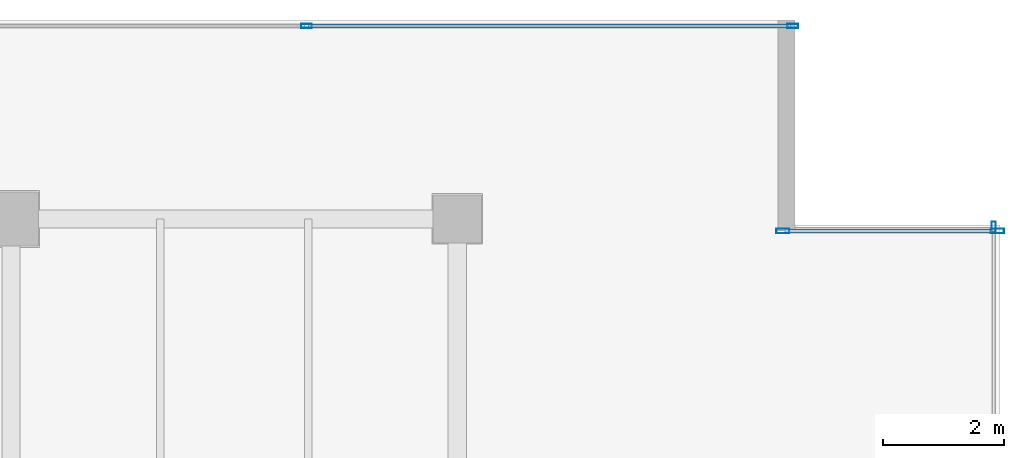
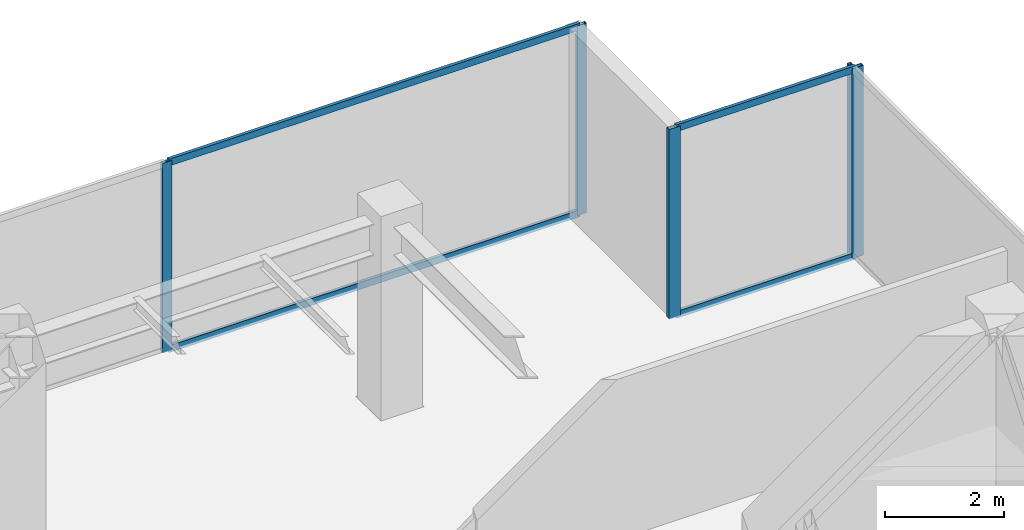
# One storey, part 24 of 32: 9 members, 3 elements without a shape of their own.
"""IFC4 building model written with IfcOpenShell, lengths in metres."""

from ifc_helpers import new_model, si_unit, direction, frame, origin, origin_2d, place, context, subcontext, project, spatial, hollow_rectangle, extrude, source, transform, mapped, material, layer, layer_set, material_profile, profile_set, type_object, type_shapes, element, aggregate, save


model = new_model("IFC4")

# Units and contexts
model_context = context("Model", 3, precision=1e-05, world=origin(), true_north=direction((0.0, 1.0)))
body_context = subcontext(model_context, "Body", "Model", "MODEL_VIEW")
ifc_project = project(units=[si_unit("LENGTHUNIT", "METRE"), si_unit("AREAUNIT", "SQUARE_METRE"), si_unit("VOLUMEUNIT", "CUBIC_METRE"), si_unit("PLANEANGLEUNIT", "RADIAN"), si_unit("MASSUNIT", "GRAM", prefix="KILO")], contexts=[model_context])

# Site, building, storey
site_placement = place(None, origin())
site = spatial("IfcSite", under=ifc_project, at=site_placement, CompositionType="ELEMENT")
building_placement = place(site_placement, origin())
building = spatial("IfcBuilding", under=site, at=building_placement, Name="Haelvirn Gate Laboratories", CompositionType="ELEMENT")
storey_placement = place(building_placement, frame((0.0, 0.0, 314.39990234375)))
storey = spatial("IfcBuildingStorey", under=building, at=storey_placement, Name="L75", CompositionType="ELEMENT", Elevation=314.39990234375)

# Curtain wall, members
ifc_material_1 = material(Name="Anodised bronze unitised aluminium & triple low-E glass", Category="aluminium")
ifc_layer_1 = layer(ifc_material_1, 0.181884765625, Name="CW-SYS-5")
ifc_layer_set_1 = layer_set([ifc_layer_1], Name="Anodised bronze unitised aluminium & triple low-E glass")
curtain_wall_type_1 = type_object("IfcCurtainWallType", Name="CW-SYS-5", PredefinedType="NOTDEFINED", material=ifc_layer_set_1)
curtain_wall_1_placement = place(storey_placement, origin())
curtain_wall_1 = element("IfcCurtainWall", 1, at=curtain_wall_1_placement, inside=storey, type_object=curtain_wall_type_1, Name="L75 Unitised Curtain Wall CW-L75-P0-E08-1", PredefinedType="NOTDEFINED")
ifc_material_2 = material(Name="Extruded aluminium 6063-T6 (anodised bronze)", Category="aluminium")
ifc_material_profile_1 = material_profile(ifc_material_2, hollow_rectangle(XDim=0.06494140625, YDim=0.139892578125, WallThickness=0.00390625, at=origin_2d()), Name="CWT-140x65x4")
ifc_profile_set_1 = profile_set([ifc_material_profile_1], Name="Extruded aluminium 6063-T6 (anodised bronze)")
member_type_1 = type_object("IfcMemberType", Name="CWT-T140", PredefinedType="USERDEFINED", material=ifc_profile_set_1)
shared_shape_1 = source(origin(), body_context, "Body", "SweptSolid", [
    extrude(hollow_rectangle(XDim=0.06494140625, YDim=0.139892578125, WallThickness=0.00390625, at=origin_2d()), origin(), (0.0, 0.0, 1.0), 3.47998046875),
])
member_1_placement = place(storey_placement, frame((65.43994140625, 41.39990234375, 0.03271484375), z_axis=(1.0, 0.0, 0.0), x_axis=(0.0, 1.0, 0.0)))
member_1 = element("IfcMember", 2, at=member_1_placement, type_object=member_type_1, Name="CW5 transom 1.1", ObjectType="TRANSOM", PredefinedType="USERDEFINED", context=body_context, shape_type="MappedRepresentation", body=[
    mapped(shared_shape_1, transform((0.0, 0.0, 0.0), scale=1.0)),
])
member_2_placement = place(storey_placement, frame((65.43994140625, 41.39990234375, 3.86767578125), z_axis=(1.0, 0.0, 0.0), x_axis=(0.0, 1.0, 0.0)))
member_2 = element("IfcMember", 3, at=member_2_placement, type_object=member_type_1, Name="CW5 transom 1.2", ObjectType="TRANSOM", PredefinedType="USERDEFINED", context=body_context, shape_type="MappedRepresentation", body=[
    mapped(shared_shape_1, transform((0.0, 0.0, 0.0), scale=1.0)),
])

ifc_layer_2 = layer(ifc_material_1, 0.176025390625, Name="CW-SYS-4")
ifc_layer_set_2 = layer_set([ifc_layer_2], Name="Anodised bronze unitised aluminium & triple low-E glass")
curtain_wall_type_2 = type_object("IfcCurtainWallType", Name="CW-SYS-4", PredefinedType="NOTDEFINED", material=ifc_layer_set_2)
curtain_wall_2_placement = place(storey_placement, origin())
curtain_wall_2 = element("IfcCurtainWall", 4, at=curtain_wall_2_placement, inside=storey, type_object=curtain_wall_type_2, Name="L75 Unitised Curtain Wall CW-L75-P0-E10-1", PredefinedType="NOTDEFINED")
shared_shape_2 = source(origin(), body_context, "Body", "SweptSolid", [
    extrude(hollow_rectangle(XDim=0.06494140625, YDim=0.139892578125, WallThickness=0.00390625, at=origin_2d()), origin(), (0.0, 0.0, 1.0), 7.9951171875),
])
type_shapes(member_type_1, [shared_shape_1, shared_shape_2])
member_3_placement = place(storey_placement, frame((57.534912109375, 44.800048828125, 0.03271484375), z_axis=(1.0, 0.0, 0.0), x_axis=(0.0, 1.0, 0.0)))
member_3 = element("IfcMember", 5, at=member_3_placement, type_object=member_type_1, Name="CW4 transom 2.1", ObjectType="TRANSOM", PredefinedType="USERDEFINED", context=body_context, shape_type="MappedRepresentation", body=[
    mapped(shared_shape_2, transform((0.0, 0.0, 0.0), scale=1.0)),
])
member_4_placement = place(storey_placement, frame((57.534912109375, 44.800048828125, 3.86767578125), z_axis=(1.0, 0.0, 0.0), x_axis=(0.0, 1.0, 0.0)))
member_4 = element("IfcMember", 6, at=member_4_placement, type_object=member_type_1, Name="CW4 transom 2.2", ObjectType="TRANSOM", PredefinedType="USERDEFINED", context=body_context, shape_type="MappedRepresentation", body=[
    mapped(shared_shape_2, transform((0.0, 0.0, 0.0), scale=1.0)),
])

# Curtain wall, member
curtain_wall_3_placement = place(storey_placement, origin())
curtain_wall_3 = element("IfcCurtainWall", 7, at=curtain_wall_3_placement, inside=storey, type_object=curtain_wall_type_2, Name="L75 Unitised Curtain Wall CW-L75-P0-E07", PredefinedType="NOTDEFINED")
ifc_material_profile_2 = material_profile(ifc_material_2, hollow_rectangle(XDim=0.070068359375, YDim=0.179931640625, WallThickness=0.0048828125, at=origin_2d()), Name="CWM-180x70x5")
ifc_profile_set_2 = profile_set([ifc_material_profile_2], Name="Extruded aluminium 6063-T6 (anodised bronze)")
member_type_2 = type_object("IfcMemberType", Name="CWM-T180", PredefinedType="MULLION", material=ifc_profile_set_2)
shared_shape_3 = source(origin(), body_context, "Body", "SweptSolid", [
    extrude(hollow_rectangle(XDim=0.070068359375, YDim=0.179931640625, WallThickness=0.0048828125, at=origin_2d()), origin(), (0.0, 0.0, 1.0), 3.900146484375),
])
type_shapes(member_type_2, [shared_shape_3])
member_5_placement = place(storey_placement, frame((68.89990234375, 41.465087890625, 0.0), z_axis=(0.0, 0.0, 1.0), x_axis=(-1.0, 0.0, 0.0)))
member_5 = element("IfcMember", 8, at=member_5_placement, type_object=member_type_2, Name="CW4 mullion 3", PredefinedType="MULLION", context=body_context, shape_type="MappedRepresentation", body=[
    mapped(shared_shape_3, transform((0.0, 0.0, 0.0), scale=1.0)),
])
aggregate(curtain_wall_3, [member_5])

# Member
member_6_placement = place(storey_placement, frame((57.5, 44.800048828125, 0.0), z_axis=(0.0, 0.0, 1.0), x_axis=(0.0, 1.0, 0.0)))
member_6 = element("IfcMember", 9, at=member_6_placement, type_object=member_type_2, Name="CW4 mullion 2", PredefinedType="MULLION", context=body_context, shape_type="MappedRepresentation", body=[
    mapped(shared_shape_3, transform((0.0, 0.0, 0.0), scale=1.0)),
])

member_7_placement = place(storey_placement, frame((65.56494140625, 44.800048828125, 0.0), z_axis=(0.0, 0.0, 1.0), x_axis=(0.0, 1.0, 0.0)))
member_7 = element("IfcMember", 10, at=member_7_placement, type_object=member_type_2, Name="CW4 mullion 3", PredefinedType="MULLION", context=body_context, shape_type="MappedRepresentation", body=[
    mapped(shared_shape_3, transform((0.0, 0.0, 0.0), scale=1.0)),
])

aggregate(curtain_wall_2, [member_6, member_7, member_3, member_4])

ifc_material_profile_3 = material_profile(ifc_material_2, hollow_rectangle(XDim=0.080078125, YDim=0.219970703125, WallThickness=0.006103515625, at=origin_2d()), Name="CWM-220x80x6")
ifc_profile_set_3 = profile_set([ifc_material_profile_3], Name="Extruded aluminium 6063-T6 (anodised bronze)")
member_type_3 = type_object("IfcMemberType", Name="CWM-T220", PredefinedType="MULLION", material=ifc_profile_set_3)
shared_shape_4 = source(origin(), body_context, "Body", "SweptSolid", [
    extrude(hollow_rectangle(XDim=0.080078125, YDim=0.219970703125, WallThickness=0.006103515625, at=origin_2d()), origin(), (0.0, 0.0, 1.0), 3.900146484375),
])
type_shapes(member_type_3, [shared_shape_4])
member_8_placement = place(storey_placement, frame((65.39990234375, 41.39990234375, 0.0), z_axis=(0.0, 0.0, 1.0), x_axis=(0.0, 1.0, 0.0)))
member_8 = element("IfcMember", 11, at=member_8_placement, type_object=member_type_3, Name="CW5 mullion 1", PredefinedType="MULLION", context=body_context, shape_type="MappedRepresentation", body=[
    mapped(shared_shape_4, transform((0.0, 0.0, 0.0), scale=1.0)),
])

member_9_placement = place(storey_placement, frame((68.9599609375, 41.39990234375, 0.0), z_axis=(0.0, 0.0, 1.0), x_axis=(0.0, 1.0, 0.0)))
member_9 = element("IfcMember", 12, at=member_9_placement, type_object=member_type_3, Name="CW5 mullion 2", PredefinedType="MULLION", context=body_context, shape_type="MappedRepresentation", body=[
    mapped(shared_shape_4, transform((0.0, 0.0, 0.0), scale=1.0)),
])

aggregate(curtain_wall_1, [member_8, member_9, member_1, member_2])

save(model, "model.ifc")
